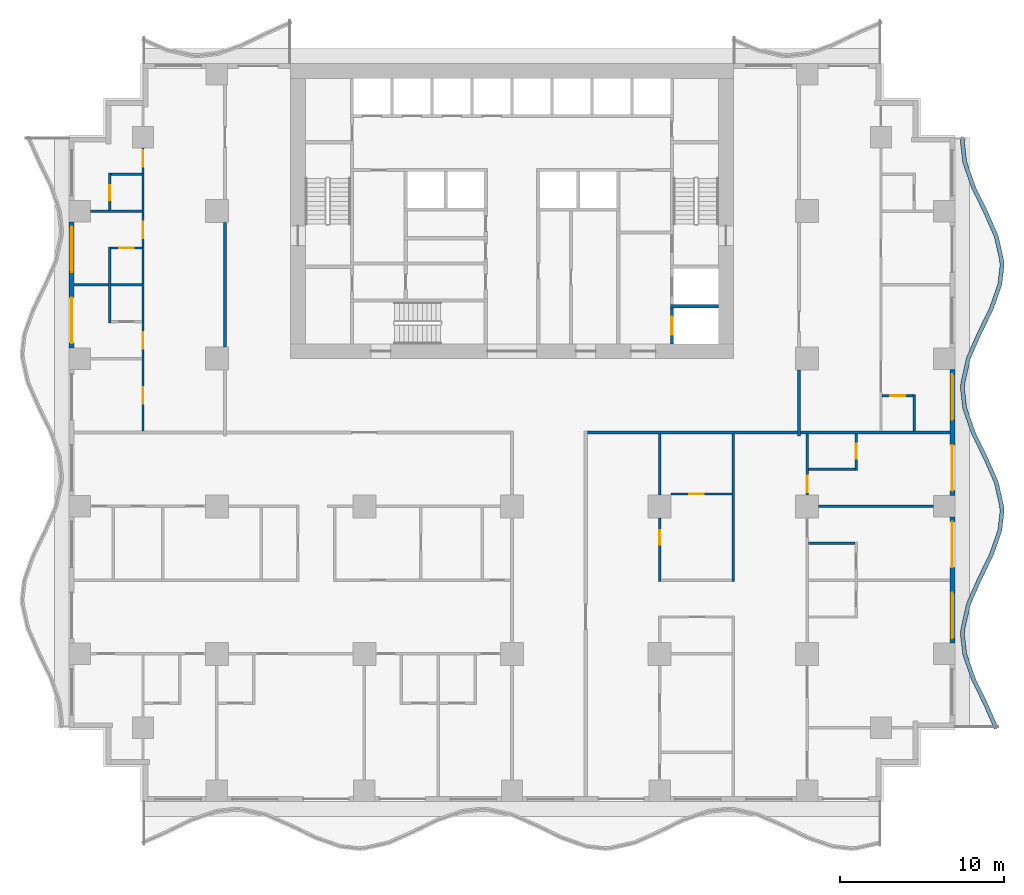
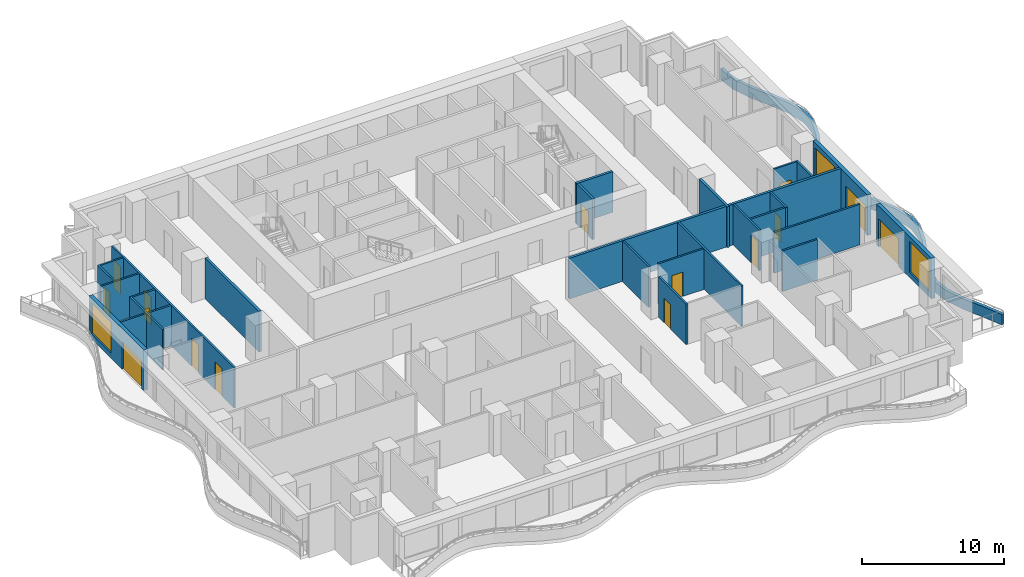
# One storey, part 4 of 14: 29 walls, 15 doors, 3 windows, 18 openings.
"""IFC4 building model written with IfcOpenShell, lengths in metres."""

from ifc_helpers import new_model, si_unit, direction, frame, frame_2d, origin, place, context, subcontext, project, spatial, polyline, rectangle, outline, extrude, material, layer, layer_set, type_object, element, fill, save


model = new_model("IFC4")

# Units and contexts
model_context = context("Model", 3, precision=1e-05, world=origin(), true_north=direction((0.0, 1.0)))
body_context = subcontext(model_context, "Body", "Model", "MODEL_VIEW")
ifc_project = project(units=[si_unit("LENGTHUNIT", "METRE"), si_unit("AREAUNIT", "SQUARE_METRE"), si_unit("VOLUMEUNIT", "CUBIC_METRE"), si_unit("PLANEANGLEUNIT", "RADIAN"), si_unit("MASSUNIT", "GRAM", prefix="KILO")], contexts=[model_context])

# Site, building, storey
site_placement = place(None, origin())
site = spatial("IfcSite", under=ifc_project, at=site_placement, CompositionType="ELEMENT")
building_placement = place(site_placement, origin())
building = spatial("IfcBuilding", under=site, at=building_placement, Name="Orbiselva Terraces", CompositionType="ELEMENT")
storey_placement = place(building_placement, frame((0.0, 0.0, 88.4)))
storey = spatial("IfcBuildingStorey", under=building, at=storey_placement, Name="L22", CompositionType="ELEMENT", Elevation=88.4)

# Wall, opening, door
ifc_material_1 = material(Name="Concrete C60/75", Category="concrete")
ifc_layer_1 = layer(ifc_material_1, 0.2)
ifc_layer_set_1 = layer_set([ifc_layer_1], Name="Concrete C60/75")
wall_type_1 = type_object("IfcWallType", Name="CORE-WALL-SHEAR-200", PredefinedType="SHEAR", material=ifc_layer_set_1)
wall_1_placement = place(storey_placement, frame((9.75, 5.4, 0.0), z_axis=(0.0, 0.0, 1.0), x_axis=(0.0, 1.0, 0.0)))
wall_1 = element("IfcWall", 1, at=wall_1_placement, inside=storey, type_object=wall_type_1, Name="L22 core wall 42", PredefinedType="SHEAR", context=body_context, shape_type="SweptSolid", body=[
    extrude(rectangle(XDim=2.2, YDim=0.2, at=frame_2d((1.1, 0.0))), origin(), (0.0, 0.0, 1.0), 3.5),
])
opening_1_placement = place(wall_1_placement, frame((0.55, 0.0, 0.0)))
opening_1 = element("IfcOpeningElement", 2, at=opening_1_placement, cuts=wall_1, Name="Opening LD-FF1", PredefinedType="OPENING", context=body_context, shape_type="SweptSolid", body=[
    extrude(rectangle(XDim=1.1, YDim=2.1, at=frame_2d((0.55, 1.05))), frame((0.0, 0.11, 0.0), z_axis=(0.0, -1.0, 0.0), x_axis=(1.0, 0.0, 0.0)), (0.0, 0.0, 1.0), 0.22),
])
ifc_material_2 = material(Name="Stainless steel landing door", Category="steel")
door_type_1 = type_object("IfcDoorType", Name="LANDING DOOR 1100", OperationType="SLIDING_TO_LEFT", PredefinedType="DOOR", material=ifc_material_2)
door_1_placement = place(opening_1_placement, origin())
door_1 = element("IfcDoor", 3, at=door_1_placement, inside=storey, type_object=door_type_1, Name="L22 landing door FF1", OperationType="SLIDING_TO_RIGHT", OverallHeight=2.1, OverallWidth=1.1, PredefinedType="DOOR", context=body_context, shape_type="SweptSolid", body=[
    extrude(rectangle(XDim=1.1, YDim=2.1, at=frame_2d((0.55, 1.05))), frame((0.0, 0.025, 0.0), z_axis=(0.0, -1.0, 0.0), x_axis=(1.0, 0.0, 0.0)), (0.0, 0.0, 1.0), 0.05),
])
fill(opening_1, door_1)

# Walls
wall_2_placement = place(storey_placement, frame((9.65, 7.7, 0.0), z_axis=(0.0, 0.0, 1.0), x_axis=(1.0, 0.0, 0.0)))
element("IfcWall", 4, at=wall_2_placement, inside=storey, type_object=wall_type_1, Name="L22 core wall 43", PredefinedType="SHEAR", context=body_context, shape_type="SweptSolid", body=[
    extrude(rectangle(XDim=2.95, YDim=0.2, at=frame_2d((1.475, 0.0))), origin(), (0.0, 0.0, 1.0), 3.5),
])
ifc_material_3 = material(Name="Concrete C40/50", Category="concrete")
ifc_layer_2 = layer(ifc_material_3, 0.25)
ifc_layer_set_2 = layer_set([ifc_layer_2], Name="Concrete C40/50")
wall_type_2 = type_object("IfcWallType", Name="ENV-PLANTER-250x900", PredefinedType="USERDEFINED", material=ifc_layer_set_2)
wall_3_placement = place(storey_placement, origin())
element("IfcWall", 5, at=wall_3_placement, inside=storey, type_object=wall_type_2, Name="Balcony planter L22 E", ObjectType="PLANTER", PredefinedType="USERDEFINED", context=body_context, shape_type="SweptSolid", body=[
    extrude(outline(polyline([(29.648528, -18.0), (28.987721, -16.5), (28.255211, -15.0), (27.730792, -13.5), (27.6, -12.375), (27.614774, -12.0), (27.951472, -10.5), (28.612279, -9.0), (29.344789, -7.5), (29.869208, -6.0), (30.0, -4.875), (29.985226, -4.5), (29.648528, -3.0), (28.987721, -1.5), (28.255211, 0.0), (27.730792, 1.5), (27.6, 2.625), (27.614774, 3.0), (27.951472, 4.5), (28.612279, 6.0), (29.344789, 7.5), (29.869208, 9.0), (30.0, 10.125), (29.985226, 10.5), (29.648528, 12.0), (28.987721, 13.5), (28.255211, 15.0), (27.730792, 16.5), (27.6, 17.625), (27.614774, 18.0), (27.364968, 18.009842), (27.349429, 17.615428), (27.485662, 16.443629), (28.024089, 14.90356), (28.760919, 13.394714), (29.40993, 11.921492), (29.736315, 10.467435), (29.749429, 10.134572), (29.624078, 9.056371), (29.113667, 7.59644), (28.385477, 6.105286), (27.712874, 4.578508), (27.365863, 3.032565), (27.349429, 2.615428), (27.485662, 1.443629), (28.024089, -0.09644), (28.760919, -1.605286), (29.40993, -3.078508), (29.736315, -4.532565), (29.749429, -4.865428), (29.624078, -5.943629), (29.113667, -7.40356), (28.385477, -8.894714), (27.712874, -10.421492), (27.365863, -11.967435), (27.349429, -12.384572), (27.485662, -13.556371), (28.024089, -15.09644), (28.760919, -16.605286), (29.419745, -18.100788), (29.648528, -18.0)])), origin(), (0.0, 0.0, 1.0), 0.9),
])

# Wall, openings, door, window
ifc_material_4 = material(Name="Terracotta cladding on masonry backing", Category="masonry")
ifc_layer_3 = layer(ifc_material_4, 0.3)
ifc_layer_set_3 = layer_set([ifc_layer_3], Name="Terracotta cladding on masonry backing")
wall_type_3 = type_object("IfcWallType", Name="ENV-WALL-TERRACOTTA-300", PredefinedType="SOLIDWALL", material=ifc_layer_set_3)
wall_4_placement = place(storey_placement, frame((26.85, -5.15, 0.0), z_axis=(0.0, 0.0, 1.0), x_axis=(0.0, -1.0, 0.0)))
wall_4 = element("IfcWall", 6, at=wall_4_placement, inside=storey, type_object=wall_type_3, Name="Facade wall L22 E", PredefinedType="SOLIDWALL", context=body_context, shape_type="SweptSolid", body=[
    extrude(rectangle(XDim=7.7, YDim=0.3, at=frame_2d((3.85, 0.0))), origin(), (0.0, 0.0, 1.0), 3.5),
])
opening_2_placement = place(wall_4_placement, frame((4.625, 0.0, 0.45)))
opening_2 = element("IfcOpeningElement", 7, at=opening_2_placement, cuts=wall_4, Name="Opening WN6", PredefinedType="OPENING", context=body_context, shape_type="SweptSolid", body=[
    extrude(rectangle(XDim=2.775, YDim=2.65, at=frame_2d((1.3875, 1.325))), frame((0.0, 0.16, 0.0), z_axis=(0.0, -1.0, 0.0), x_axis=(1.0, 0.0, 0.0)), (0.0, 0.0, 1.0), 0.32),
])
opening_3_placement = place(wall_4_placement, frame((0.3, 0.0, 0.0)))
opening_3 = element("IfcOpeningElement", 8, at=opening_3_placement, cuts=wall_4, Name="Opening Z2-B-E17", PredefinedType="OPENING", context=body_context, shape_type="SweptSolid", body=[
    extrude(rectangle(XDim=2.775, YDim=2.4, at=frame_2d((1.3875, 1.2))), frame((0.0, 0.16, 0.0), z_axis=(0.0, -1.0, 0.0), x_axis=(1.0, 0.0, 0.0)), (0.0, 0.0, 1.0), 0.32),
])
ifc_material_5 = material(Name="Clear low-e glazing in aluminium frame", Category="aluminium")
door_type_2 = type_object("IfcDoorType", Name="BALCONY DOOR 2775 X 2400", OperationType="DOUBLE_DOOR_SLIDING", PredefinedType="DOOR", material=ifc_material_5)
door_2_placement = place(opening_3_placement, origin())
door_2 = element("IfcDoor", 9, at=door_2_placement, inside=storey, type_object=door_type_2, Name="Z2-B-E17", OperationType="SINGLE_SWING_LEFT", OverallHeight=2.4, OverallWidth=2.775, PredefinedType="DOOR", context=body_context, shape_type="SweptSolid", body=[
    extrude(rectangle(XDim=2.775, YDim=2.4, at=frame_2d((1.3875, 1.2))), frame((0.0, 0.025, 0.0), z_axis=(0.0, -1.0, 0.0), x_axis=(1.0, 0.0, 0.0)), (0.0, 0.0, 1.0), 0.05),
])
fill(opening_3, door_2)
window_type = type_object("IfcWindowType", Name="WINDOW 2775 X 2650 S450", PartitioningType="TRIPLE_PANEL_VERTICAL", PredefinedType="WINDOW", material=ifc_material_5)
window_1_placement = place(opening_2_placement, origin())
window_1 = element("IfcWindow", 10, at=window_1_placement, inside=storey, type_object=window_type, Name="Window L22 E", OverallHeight=2.65, OverallWidth=2.775, PartitioningType="SINGLE_PANEL", PredefinedType="WINDOW", context=body_context, shape_type="SweptSolid", body=[
    extrude(rectangle(XDim=2.775, YDim=2.65, at=frame_2d((1.3875, 1.325))), frame((0.0, 0.03, 0.0), z_axis=(0.0, -1.0, 0.0), x_axis=(1.0, 0.0, 0.0)), (0.0, 0.0, 1.0), 0.06),
])
fill(opening_2, window_1)

wall_5_placement = place(storey_placement, frame((26.85, 3.85, 0.0), z_axis=(0.0, 0.0, 1.0), x_axis=(0.0, -1.0, 0.0)))
wall_5 = element("IfcWall", 11, at=wall_5_placement, inside=storey, type_object=wall_type_3, Name="Facade wall L22 E", PredefinedType="SOLIDWALL", context=body_context, shape_type="SweptSolid", body=[
    extrude(rectangle(XDim=7.7, YDim=0.3, at=frame_2d((3.85, 0.0))), origin(), (0.0, 0.0, 1.0), 3.5),
])
opening_4_placement = place(wall_5_placement, frame((4.625, 0.0, 0.0)))
opening_4 = element("IfcOpeningElement", 12, at=opening_4_placement, cuts=wall_5, Name="Opening Z2-B-E06", PredefinedType="OPENING", context=body_context, shape_type="SweptSolid", body=[
    extrude(rectangle(XDim=2.775, YDim=2.4, at=frame_2d((1.3875, 1.2))), frame((0.0, 0.16, 0.0), z_axis=(0.0, -1.0, 0.0), x_axis=(1.0, 0.0, 0.0)), (0.0, 0.0, 1.0), 0.32),
])
opening_5_placement = place(wall_5_placement, frame((0.3, 0.0, 0.45)))
opening_5 = element("IfcOpeningElement", 13, at=opening_5_placement, cuts=wall_5, Name="Opening WN6", PredefinedType="OPENING", context=body_context, shape_type="SweptSolid", body=[
    extrude(rectangle(XDim=2.775, YDim=2.65, at=frame_2d((1.3875, 1.325))), frame((0.0, 0.16, 0.0), z_axis=(0.0, -1.0, 0.0), x_axis=(1.0, 0.0, 0.0)), (0.0, 0.0, 1.0), 0.32),
])
door_3_placement = place(opening_4_placement, origin())
door_3 = element("IfcDoor", 14, at=door_3_placement, inside=storey, type_object=door_type_2, Name="Z2-B-E06", OperationType="SINGLE_SWING_LEFT", OverallHeight=2.4, OverallWidth=2.775, PredefinedType="DOOR", context=body_context, shape_type="SweptSolid", body=[
    extrude(rectangle(XDim=2.775, YDim=2.4, at=frame_2d((1.3875, 1.2))), frame((0.0, 0.025, 0.0), z_axis=(0.0, -1.0, 0.0), x_axis=(1.0, 0.0, 0.0)), (0.0, 0.0, 1.0), 0.05),
])
fill(opening_4, door_3)
window_2_placement = place(opening_5_placement, origin())
window_2 = element("IfcWindow", 15, at=window_2_placement, inside=storey, type_object=window_type, Name="Window L22 E", OverallHeight=2.65, OverallWidth=2.775, PartitioningType="SINGLE_PANEL", PredefinedType="WINDOW", context=body_context, shape_type="SweptSolid", body=[
    extrude(rectangle(XDim=2.775, YDim=2.65, at=frame_2d((1.3875, 1.325))), frame((0.0, 0.03, 0.0), z_axis=(0.0, -1.0, 0.0), x_axis=(1.0, 0.0, 0.0)), (0.0, 0.0, 1.0), 0.06),
])
fill(opening_5, window_2)

wall_6_placement = place(storey_placement, frame((-26.85, 5.15, 0.0), z_axis=(0.0, 0.0, 1.0), x_axis=(0.0, 1.0, 0.0)))
wall_6 = element("IfcWall", 16, at=wall_6_placement, inside=storey, type_object=wall_type_3, Name="Facade wall L22 W", PredefinedType="SOLIDWALL", context=body_context, shape_type="SweptSolid", body=[
    extrude(rectangle(XDim=7.7, YDim=0.3, at=frame_2d((3.85, 0.0))), origin(), (0.0, 0.0, 1.0), 3.5),
])
opening_6_placement = place(wall_6_placement, frame((4.625, 0.0, 0.45)))
opening_6 = element("IfcOpeningElement", 17, at=opening_6_placement, cuts=wall_6, Name="Opening WN6", PredefinedType="OPENING", context=body_context, shape_type="SweptSolid", body=[
    extrude(rectangle(XDim=2.775, YDim=2.65, at=frame_2d((1.3875, 1.325))), frame((0.0, 0.16, 0.0), z_axis=(0.0, -1.0, 0.0), x_axis=(1.0, 0.0, 0.0)), (0.0, 0.0, 1.0), 0.32),
])
opening_7_placement = place(wall_6_placement, frame((0.3, 0.0, 0.0)))
opening_7 = element("IfcOpeningElement", 18, at=opening_7_placement, cuts=wall_6, Name="Opening Z2-B-E20", PredefinedType="OPENING", context=body_context, shape_type="SweptSolid", body=[
    extrude(rectangle(XDim=2.775, YDim=2.4, at=frame_2d((1.3875, 1.2))), frame((0.0, 0.16, 0.0), z_axis=(0.0, -1.0, 0.0), x_axis=(1.0, 0.0, 0.0)), (0.0, 0.0, 1.0), 0.32),
])
door_4_placement = place(opening_7_placement, origin())
door_4 = element("IfcDoor", 19, at=door_4_placement, inside=storey, type_object=door_type_2, Name="Z2-B-E20", OperationType="SINGLE_SWING_LEFT", OverallHeight=2.4, OverallWidth=2.775, PredefinedType="DOOR", context=body_context, shape_type="SweptSolid", body=[
    extrude(rectangle(XDim=2.775, YDim=2.4, at=frame_2d((1.3875, 1.2))), frame((0.0, 0.025, 0.0), z_axis=(0.0, -1.0, 0.0), x_axis=(1.0, 0.0, 0.0)), (0.0, 0.0, 1.0), 0.05),
])
fill(opening_7, door_4)
window_3_placement = place(opening_6_placement, origin())
window_3 = element("IfcWindow", 20, at=window_3_placement, inside=storey, type_object=window_type, Name="Window L22 W", OverallHeight=2.65, OverallWidth=2.775, PartitioningType="SINGLE_PANEL", PredefinedType="WINDOW", context=body_context, shape_type="SweptSolid", body=[
    extrude(rectangle(XDim=2.775, YDim=2.65, at=frame_2d((1.3875, 1.325))), frame((0.0, 0.03, 0.0), z_axis=(0.0, -1.0, 0.0), x_axis=(1.0, 0.0, 0.0)), (0.0, 0.0, 1.0), 0.06),
])
fill(opening_6, window_3)

# Walls
ifc_material_6 = material(Name="Plasterboard on steel stud partition", Category="steel")
ifc_layer_4 = layer(ifc_material_6, 0.2)
ifc_layer_set_4 = layer_set([ifc_layer_4], Name="Plasterboard on steel stud partition")
wall_type_4 = type_object("IfcWallType", Name="UNIT-ENTRANCE-WALL-200", PredefinedType="PARTITIONING", material=ifc_layer_set_4)
wall_7_placement = place(storey_placement, frame((4.6, 0.0, 0.0), z_axis=(0.0, 0.0, 1.0), x_axis=(1.0, 0.0, 0.0)))
element("IfcWall", 21, at=wall_7_placement, inside=storey, type_object=wall_type_4, Name="PARTITION L22-028", PredefinedType="PARTITIONING", context=body_context, shape_type="SweptSolid", body=[
    extrude(rectangle(XDim=12.8, YDim=0.2, at=frame_2d((6.4, 0.0))), origin(), (0.0, 0.0, 1.0), 3.5),
])
wall_8_placement = place(storey_placement, frame((-17.5, 5.2, 0.0), z_axis=(0.0, 0.0, 1.0), x_axis=(0.0, 1.0, 0.0)))
element("IfcWall", 22, at=wall_8_placement, inside=storey, type_object=wall_type_4, Name="PARTITION L22-053", PredefinedType="PARTITIONING", context=body_context, shape_type="SweptSolid", body=[
    extrude(rectangle(XDim=7.6, YDim=0.2, at=frame_2d((3.8, 0.0))), origin(), (0.0, 0.0, 1.0), 3.5),
])
wall_9_placement = place(storey_placement, frame((17.5, -0.2, 0.0), z_axis=(0.0, 0.0, 1.0), x_axis=(0.0, 1.0, 0.0)))
element("IfcWall", 23, at=wall_9_placement, inside=storey, type_object=wall_type_4, Name="PARTITION L22-075", PredefinedType="PARTITIONING", context=body_context, shape_type="SweptSolid", body=[
    extrude(rectangle(XDim=4.0, YDim=0.2, at=frame_2d((2.0, 0.0))), origin(), (0.0, 0.0, 1.0), 3.5),
])
ifc_layer_5 = layer(ifc_material_6, 0.15)
ifc_layer_set_5 = layer_set([ifc_layer_5], Name="Plasterboard on steel stud partition")
wall_type_5 = type_object("IfcWallType", Name="UNIT-PARTITION-150", PredefinedType="PARTITIONING", material=ifc_layer_set_5)
wall_10_placement = place(storey_placement, frame((18.075, -6.75, 0.0), z_axis=(0.0, 0.0, 1.0), x_axis=(1.0, 0.0, 0.0)))
element("IfcWall", 24, at=wall_10_placement, inside=storey, type_object=wall_type_5, Name="PARTITION L22-019", PredefinedType="PARTITIONING", context=body_context, shape_type="SweptSolid", body=[
    extrude(rectangle(XDim=2.85, YDim=0.15, at=frame_2d((1.425, 0.0))), origin(), (0.0, 0.0, 1.0), 3.5),
])
wall_11_placement = place(storey_placement, frame((18.7, -4.5, 0.0), z_axis=(0.0, 0.0, 1.0), x_axis=(1.0, 0.0, 0.0)))
element("IfcWall", 25, at=wall_11_placement, inside=storey, type_object=wall_type_5, Name="PARTITION L22-024", PredefinedType="PARTITIONING", context=body_context, shape_type="SweptSolid", body=[
    extrude(rectangle(XDim=7.0, YDim=0.15, at=frame_2d((3.5, 0.0))), origin(), (0.0, 0.0, 1.0), 3.5),
])

# Wall, opening, door
wall_12_placement = place(storey_placement, frame((9.7, -3.75, 0.0), z_axis=(0.0, 0.0, 1.0), x_axis=(1.0, 0.0, 0.0)))
wall_12 = element("IfcWall", 26, at=wall_12_placement, inside=storey, type_object=wall_type_5, Name="PARTITION L22-025", PredefinedType="PARTITIONING", context=body_context, shape_type="SweptSolid", body=[
    extrude(rectangle(XDim=3.725, YDim=0.15, at=frame_2d((1.8625, 0.0))), origin(), (0.0, 0.0, 1.0), 3.5),
])
opening_8_placement = place(wall_12_placement, frame((1.1, 0.0, 0.0)))
opening_8 = element("IfcOpeningElement", 27, at=opening_8_placement, cuts=wall_12, Name="Opening Z2-B-37", PredefinedType="OPENING", context=body_context, shape_type="SweptSolid", body=[
    extrude(rectangle(XDim=0.9, YDim=2.1, at=frame_2d((0.45, 1.05))), frame((0.0, 0.085, 0.0), z_axis=(0.0, -1.0, 0.0), x_axis=(1.0, 0.0, 0.0)), (0.0, 0.0, 1.0), 0.17),
])
ifc_material_7 = material(Name="Painted timber door leaf", Category="wood")
door_type_3 = type_object("IfcDoorType", Name="BATH DOOR 900", OperationType="NOTDEFINED", PredefinedType="DOOR", material=ifc_material_7)
door_5_placement = place(opening_8_placement, origin())
door_5 = element("IfcDoor", 28, at=door_5_placement, inside=storey, type_object=door_type_3, Name="Z2-B-37", OperationType="SINGLE_SWING_LEFT", OverallHeight=2.1, OverallWidth=0.9, PredefinedType="DOOR", context=body_context, shape_type="SweptSolid", body=[
    extrude(rectangle(XDim=0.9, YDim=2.1, at=frame_2d((0.45, 1.05))), frame((0.0, 0.025, 0.0), z_axis=(0.0, -1.0, 0.0), x_axis=(1.0, 0.0, 0.0)), (0.0, 0.0, 1.0), 0.05),
])
fill(opening_8, door_5)

# Wall
wall_13_placement = place(storey_placement, frame((18.075, -2.25, 0.0), z_axis=(0.0, 0.0, 1.0), x_axis=(1.0, 0.0, 0.0)))
element("IfcWall", 29, at=wall_13_placement, inside=storey, type_object=wall_type_5, Name="PARTITION L22-026", PredefinedType="PARTITIONING", context=body_context, shape_type="SweptSolid", body=[
    extrude(rectangle(XDim=2.85, YDim=0.15, at=frame_2d((1.425, 0.0))), origin(), (0.0, 0.0, 1.0), 3.5),
])

# Wall, opening, door
wall_14_placement = place(storey_placement, frame((24.45, 2.25, 0.0), z_axis=(0.0, 0.0, 1.0), x_axis=(-1.0, 0.0, 0.0)))
wall_14 = element("IfcWall", 30, at=wall_14_placement, inside=storey, type_object=wall_type_5, Name="PARTITION L22-031", PredefinedType="PARTITIONING", context=body_context, shape_type="SweptSolid", body=[
    extrude(rectangle(XDim=1.875, YDim=0.15, at=frame_2d((0.9375, 0.0))), origin(), (0.0, 0.0, 1.0), 3.5),
])
opening_9_placement = place(wall_14_placement, frame((0.475, 0.0, 0.0)))
opening_9 = element("IfcOpeningElement", 31, at=opening_9_placement, cuts=wall_14, Name="Opening Z2-B-11", PredefinedType="OPENING", context=body_context, shape_type="SweptSolid", body=[
    extrude(rectangle(XDim=0.9, YDim=2.1, at=frame_2d((0.45, 1.05))), frame((0.0, 0.085, 0.0), z_axis=(0.0, -1.0, 0.0), x_axis=(1.0, 0.0, 0.0)), (0.0, 0.0, 1.0), 0.17),
])
door_6_placement = place(opening_9_placement, origin())
door_6 = element("IfcDoor", 32, at=door_6_placement, inside=storey, type_object=door_type_3, Name="Z2-B-11", OperationType="SINGLE_SWING_LEFT", OverallHeight=2.1, OverallWidth=0.9, PredefinedType="DOOR", context=body_context, shape_type="SweptSolid", body=[
    extrude(rectangle(XDim=0.9, YDim=2.1, at=frame_2d((0.45, 1.05))), frame((0.0, 0.025, 0.0), z_axis=(0.0, -1.0, 0.0), x_axis=(1.0, 0.0, 0.0)), (0.0, 0.0, 1.0), 0.05),
])
fill(opening_9, door_6)

# Walls
wall_15_placement = place(storey_placement, frame((-26.7, 9.0, 0.0), z_axis=(0.0, 0.0, 1.0), x_axis=(1.0, 0.0, 0.0)))
element("IfcWall", 33, at=wall_15_placement, inside=storey, type_object=wall_type_5, Name="PARTITION L22-034", PredefinedType="PARTITIONING", context=body_context, shape_type="SweptSolid", body=[
    extrude(rectangle(XDim=2.1, YDim=0.15, at=frame_2d((1.05, 0.0))), origin(), (0.0, 0.0, 1.0), 3.5),
])
wall_16_placement = place(storey_placement, frame((-24.45, 9.0, 0.0), z_axis=(0.0, 0.0, 1.0), x_axis=(1.0, 0.0, 0.0)))
element("IfcWall", 34, at=wall_16_placement, inside=storey, type_object=wall_type_5, Name="PARTITION L22-035", PredefinedType="PARTITIONING", context=body_context, shape_type="SweptSolid", body=[
    extrude(rectangle(XDim=1.875, YDim=0.15, at=frame_2d((0.9375, 0.0))), origin(), (0.0, 0.0, 1.0), 3.5),
])

# Wall, opening, door
wall_17_placement = place(storey_placement, frame((-22.575, 11.25, 0.0), z_axis=(0.0, 0.0, 1.0), x_axis=(-1.0, 0.0, 0.0)))
wall_17 = element("IfcWall", 35, at=wall_17_placement, inside=storey, type_object=wall_type_5, Name="PARTITION L22-037", PredefinedType="PARTITIONING", context=body_context, shape_type="SweptSolid", body=[
    extrude(rectangle(XDim=1.875, YDim=0.15, at=frame_2d((0.9375, 0.0))), origin(), (0.0, 0.0, 1.0), 3.5),
])
opening_10_placement = place(wall_17_placement, frame((0.475, 0.0, 0.0)))
opening_10 = element("IfcOpeningElement", 36, at=opening_10_placement, cuts=wall_17, Name="Opening Z2-B-06", PredefinedType="OPENING", context=body_context, shape_type="SweptSolid", body=[
    extrude(rectangle(XDim=0.9, YDim=2.1, at=frame_2d((0.45, 1.05))), frame((0.0, 0.085, 0.0), z_axis=(0.0, -1.0, 0.0), x_axis=(1.0, 0.0, 0.0)), (0.0, 0.0, 1.0), 0.17),
])
door_7_placement = place(opening_10_placement, origin())
door_7 = element("IfcDoor", 37, at=door_7_placement, inside=storey, type_object=door_type_3, Name="Z2-B-06", OperationType="SINGLE_SWING_LEFT", OverallHeight=2.1, OverallWidth=0.9, PredefinedType="DOOR", context=body_context, shape_type="SweptSolid", body=[
    extrude(rectangle(XDim=0.9, YDim=2.1, at=frame_2d((0.45, 1.05))), frame((0.0, 0.025, 0.0), z_axis=(0.0, -1.0, 0.0), x_axis=(1.0, 0.0, 0.0)), (0.0, 0.0, 1.0), 0.05),
])
fill(opening_10, door_7)

# Walls
wall_18_placement = place(storey_placement, frame((-25.7, 13.5, 0.0), z_axis=(0.0, 0.0, 1.0), x_axis=(1.0, 0.0, 0.0)))
element("IfcWall", 38, at=wall_18_placement, inside=storey, type_object=wall_type_5, Name="PARTITION L22-038", PredefinedType="PARTITIONING", context=body_context, shape_type="SweptSolid", body=[
    extrude(rectangle(XDim=3.125, YDim=0.15, at=frame_2d((1.5625, 0.0))), origin(), (0.0, 0.0, 1.0), 3.5),
])
wall_19_placement = place(storey_placement, frame((-24.45, 15.75, 0.0), z_axis=(0.0, 0.0, 1.0), x_axis=(1.0, 0.0, 0.0)))
element("IfcWall", 39, at=wall_19_placement, inside=storey, type_object=wall_type_5, Name="PARTITION L22-040", PredefinedType="PARTITIONING", context=body_context, shape_type="SweptSolid", body=[
    extrude(rectangle(XDim=1.875, YDim=0.15, at=frame_2d((0.9375, 0.0))), origin(), (0.0, 0.0, 1.0), 3.5),
])
wall_20_placement = place(storey_placement, frame((-24.525, 6.675, 0.0), z_axis=(0.0, 0.0, 1.0), x_axis=(0.0, 1.0, 0.0)))
element("IfcWall", 40, at=wall_20_placement, inside=storey, type_object=wall_type_5, Name="PARTITION L22-042", PredefinedType="PARTITIONING", context=body_context, shape_type="SweptSolid", body=[
    extrude(rectangle(XDim=4.65, YDim=0.15, at=frame_2d((2.325, 0.0))), origin(), (0.0, 0.0, 1.0), 3.5),
])

# Wall, opening, door
wall_21_placement = place(storey_placement, frame((-24.525, 15.825, 0.0), z_axis=(0.0, 0.0, 1.0), x_axis=(0.0, -1.0, 0.0)))
wall_21 = element("IfcWall", 41, at=wall_21_placement, inside=storey, type_object=wall_type_5, Name="PARTITION L22-043", PredefinedType="PARTITIONING", context=body_context, shape_type="SweptSolid", body=[
    extrude(rectangle(XDim=2.25, YDim=0.15, at=frame_2d((1.125, 0.0))), origin(), (0.0, 0.0, 1.0), 3.5),
])
opening_11_placement = place(wall_21_placement, frame((0.75, 0.0, 0.0)))
opening_11 = element("IfcOpeningElement", 42, at=opening_11_placement, cuts=wall_21, Name="Opening Z2-B-08", PredefinedType="OPENING", context=body_context, shape_type="SweptSolid", body=[
    extrude(rectangle(XDim=0.9, YDim=2.1, at=frame_2d((0.45, 1.05))), frame((0.0, 0.085, 0.0), z_axis=(0.0, -1.0, 0.0), x_axis=(1.0, 0.0, 0.0)), (0.0, 0.0, 1.0), 0.17),
])
door_8_placement = place(opening_11_placement, origin())
door_8 = element("IfcDoor", 43, at=door_8_placement, inside=storey, type_object=door_type_3, Name="Z2-B-08", OperationType="SINGLE_SWING_RIGHT", OverallHeight=2.1, OverallWidth=0.9, PredefinedType="DOOR", context=body_context, shape_type="SweptSolid", body=[
    extrude(rectangle(XDim=0.9, YDim=2.1, at=frame_2d((0.45, 1.05))), frame((0.0, 0.025, 0.0), z_axis=(0.0, -1.0, 0.0), x_axis=(1.0, 0.0, 0.0)), (0.0, 0.0, 1.0), 0.05),
])
fill(opening_11, door_8)

# Wall, openings, doors
wall_22_placement = place(storey_placement, frame((-22.5, 0.1, 0.0), z_axis=(0.0, 0.0, 1.0), x_axis=(0.0, 1.0, 0.0)))
wall_22 = element("IfcWall", 44, at=wall_22_placement, inside=storey, type_object=wall_type_5, Name="PARTITION L22-047", PredefinedType="PARTITIONING", context=body_context, shape_type="SweptSolid", body=[
    extrude(rectangle(XDim=17.25, YDim=0.15, at=frame_2d((8.625, 0.0))), origin(), (0.0, 0.0, 1.0), 3.5),
])
opening_12_placement = place(wall_22_placement, frame((1.65, 0.0, 0.0)))
opening_12 = element("IfcOpeningElement", 45, at=opening_12_placement, cuts=wall_22, Name="Opening Z2-B-02", PredefinedType="OPENING", context=body_context, shape_type="SweptSolid", body=[
    extrude(rectangle(XDim=1.0, YDim=2.4, at=frame_2d((0.5, 1.2))), frame((0.0, 0.085, 0.0), z_axis=(0.0, -1.0, 0.0), x_axis=(1.0, 0.0, 0.0)), (0.0, 0.0, 1.0), 0.17),
])
opening_13_placement = place(wall_22_placement, frame((5.0, 0.0, 0.0)))
opening_13 = element("IfcOpeningElement", 46, at=opening_13_placement, cuts=wall_22, Name="Opening Z2-B-03", PredefinedType="OPENING", context=body_context, shape_type="SweptSolid", body=[
    extrude(rectangle(XDim=1.0, YDim=2.4, at=frame_2d((0.5, 1.2))), frame((0.0, 0.085, 0.0), z_axis=(0.0, -1.0, 0.0), x_axis=(1.0, 0.0, 0.0)), (0.0, 0.0, 1.0), 0.17),
])
opening_14_placement = place(wall_22_placement, frame((11.75, 0.0, 0.0)))
opening_14 = element("IfcOpeningElement", 47, at=opening_14_placement, cuts=wall_22, Name="Opening Z2-B-05", PredefinedType="OPENING", context=body_context, shape_type="SweptSolid", body=[
    extrude(rectangle(XDim=1.0, YDim=2.4, at=frame_2d((0.5, 1.2))), frame((0.0, 0.085, 0.0), z_axis=(0.0, -1.0, 0.0), x_axis=(1.0, 0.0, 0.0)), (0.0, 0.0, 1.0), 0.17),
])
opening_15_placement = place(wall_22_placement, frame((16.1, 0.0, 0.0)))
opening_15 = element("IfcOpeningElement", 48, at=opening_15_placement, cuts=wall_22, Name="Opening Z2-B-07", PredefinedType="OPENING", context=body_context, shape_type="SweptSolid", body=[
    extrude(rectangle(XDim=1.0, YDim=2.4, at=frame_2d((0.5, 1.2))), frame((0.0, 0.085, 0.0), z_axis=(0.0, -1.0, 0.0), x_axis=(1.0, 0.0, 0.0)), (0.0, 0.0, 1.0), 0.17),
])
door_type_4 = type_object("IfcDoorType", Name="ROOM DOOR 1000", OperationType="NOTDEFINED", PredefinedType="DOOR", material=ifc_material_7)
door_9_placement = place(opening_12_placement, origin())
door_9 = element("IfcDoor", 49, at=door_9_placement, inside=storey, type_object=door_type_4, Name="Z2-B-02", OperationType="SINGLE_SWING_LEFT", OverallHeight=2.4, OverallWidth=1.0, PredefinedType="DOOR", context=body_context, shape_type="SweptSolid", body=[
    extrude(rectangle(XDim=1.0, YDim=2.4, at=frame_2d((0.5, 1.2))), frame((0.0, 0.025, 0.0), z_axis=(0.0, -1.0, 0.0), x_axis=(1.0, 0.0, 0.0)), (0.0, 0.0, 1.0), 0.05),
])
fill(opening_12, door_9)
door_10_placement = place(opening_13_placement, origin())
door_10 = element("IfcDoor", 50, at=door_10_placement, inside=storey, type_object=door_type_4, Name="Z2-B-03", OperationType="SINGLE_SWING_LEFT", OverallHeight=2.4, OverallWidth=1.0, PredefinedType="DOOR", context=body_context, shape_type="SweptSolid", body=[
    extrude(rectangle(XDim=1.0, YDim=2.4, at=frame_2d((0.5, 1.2))), frame((0.0, 0.025, 0.0), z_axis=(0.0, -1.0, 0.0), x_axis=(1.0, 0.0, 0.0)), (0.0, 0.0, 1.0), 0.05),
])
fill(opening_13, door_10)
door_11_placement = place(opening_14_placement, origin())
door_11 = element("IfcDoor", 51, at=door_11_placement, inside=storey, type_object=door_type_4, Name="Z2-B-05", OperationType="SINGLE_SWING_RIGHT", OverallHeight=2.4, OverallWidth=1.0, PredefinedType="DOOR", context=body_context, shape_type="SweptSolid", body=[
    extrude(rectangle(XDim=1.0, YDim=2.4, at=frame_2d((0.5, 1.2))), frame((0.0, 0.025, 0.0), z_axis=(0.0, -1.0, 0.0), x_axis=(1.0, 0.0, 0.0)), (0.0, 0.0, 1.0), 0.05),
])
fill(opening_14, door_11)
door_12_placement = place(opening_15_placement, origin())
door_12 = element("IfcDoor", 52, at=door_12_placement, inside=storey, type_object=door_type_4, Name="Z2-B-07", OperationType="SINGLE_SWING_RIGHT", OverallHeight=2.4, OverallWidth=1.0, PredefinedType="DOOR", context=body_context, shape_type="SweptSolid", body=[
    extrude(rectangle(XDim=1.0, YDim=2.4, at=frame_2d((0.5, 1.2))), frame((0.0, 0.025, 0.0), z_axis=(0.0, -1.0, 0.0), x_axis=(1.0, 0.0, 0.0)), (0.0, 0.0, 1.0), 0.05),
])
fill(opening_15, door_12)

# Wall, opening, door
wall_23_placement = place(storey_placement, frame((9.0, -5.2, 0.0), z_axis=(0.0, 0.0, 1.0), x_axis=(0.0, -1.0, 0.0)))
wall_23 = element("IfcWall", 53, at=wall_23_placement, inside=storey, type_object=wall_type_5, Name="PARTITION L22-071", PredefinedType="PARTITIONING", context=body_context, shape_type="SweptSolid", body=[
    extrude(rectangle(XDim=3.875, YDim=0.15, at=frame_2d((1.9375, 0.0))), origin(), (0.0, 0.0, 1.0), 3.5),
])
opening_16_placement = place(wall_23_placement, frame((0.75, 0.0, 0.0)))
opening_16 = element("IfcOpeningElement", 54, at=opening_16_placement, cuts=wall_23, Name="Opening Z2-B-36", PredefinedType="OPENING", context=body_context, shape_type="SweptSolid", body=[
    extrude(rectangle(XDim=0.9, YDim=2.1, at=frame_2d((0.45, 1.05))), frame((0.0, 0.085, 0.0), z_axis=(0.0, -1.0, 0.0), x_axis=(1.0, 0.0, 0.0)), (0.0, 0.0, 1.0), 0.17),
])
door_type_5 = type_object("IfcDoorType", Name="SERVICE DOOR 900", OperationType="NOTDEFINED", PredefinedType="DOOR", material=ifc_material_7)
door_13_placement = place(opening_16_placement, origin())
door_13 = element("IfcDoor", 55, at=door_13_placement, inside=storey, type_object=door_type_5, Name="Z2-B-36", OperationType="SINGLE_SWING_LEFT", OverallHeight=2.1, OverallWidth=0.9, PredefinedType="DOOR", context=body_context, shape_type="SweptSolid", body=[
    extrude(rectangle(XDim=0.9, YDim=2.1, at=frame_2d((0.45, 1.05))), frame((0.0, 0.025, 0.0), z_axis=(0.0, -1.0, 0.0), x_axis=(1.0, 0.0, 0.0)), (0.0, 0.0, 1.0), 0.05),
])
fill(opening_16, door_13)

# Walls
wall_24_placement = place(storey_placement, frame((9.0, -3.8, 0.0), z_axis=(0.0, 0.0, 1.0), x_axis=(0.0, 1.0, 0.0)))
element("IfcWall", 56, at=wall_24_placement, inside=storey, type_object=wall_type_5, Name="PARTITION L22-072", PredefinedType="PARTITIONING", context=body_context, shape_type="SweptSolid", body=[
    extrude(rectangle(XDim=3.7, YDim=0.15, at=frame_2d((1.85, 0.0))), origin(), (0.0, 0.0, 1.0), 3.5),
])
wall_25_placement = place(storey_placement, frame((13.5, -9.075, 0.0), z_axis=(0.0, 0.0, 1.0), x_axis=(0.0, 1.0, 0.0)))
element("IfcWall", 57, at=wall_25_placement, inside=storey, type_object=wall_type_5, Name="PARTITION L22-074", PredefinedType="PARTITIONING", context=body_context, shape_type="SweptSolid", body=[
    extrude(rectangle(XDim=8.975, YDim=0.15, at=frame_2d((4.4875, 0.0))), origin(), (0.0, 0.0, 1.0), 3.5),
])

# Wall, opening, door
wall_26_placement = place(storey_placement, frame((18.0, -0.1, 0.0), z_axis=(0.0, 0.0, 1.0), x_axis=(0.0, -1.0, 0.0)))
wall_26 = element("IfcWall", 58, at=wall_26_placement, inside=storey, type_object=wall_type_5, Name="PARTITION L22-080", PredefinedType="PARTITIONING", context=body_context, shape_type="SweptSolid", body=[
    extrude(rectangle(XDim=3.7, YDim=0.15, at=frame_2d((1.85, 0.0))), origin(), (0.0, 0.0, 1.0), 3.5),
])
opening_17_placement = place(wall_26_placement, frame((2.55, 0.0, 0.0)))
opening_17 = element("IfcOpeningElement", 59, at=opening_17_placement, cuts=wall_26, Name="Opening Z2-B-43", PredefinedType="OPENING", context=body_context, shape_type="SweptSolid", body=[
    extrude(rectangle(XDim=1.0, YDim=2.4, at=frame_2d((0.5, 1.2))), frame((0.0, 0.085, 0.0), z_axis=(0.0, -1.0, 0.0), x_axis=(1.0, 0.0, 0.0)), (0.0, 0.0, 1.0), 0.17),
])
door_14_placement = place(opening_17_placement, origin())
door_14 = element("IfcDoor", 60, at=door_14_placement, inside=storey, type_object=door_type_4, Name="Z2-B-43", OperationType="SINGLE_SWING_RIGHT", OverallHeight=2.4, OverallWidth=1.0, PredefinedType="DOOR", context=body_context, shape_type="SweptSolid", body=[
    extrude(rectangle(XDim=1.0, YDim=2.4, at=frame_2d((0.5, 1.2))), frame((0.0, 0.025, 0.0), z_axis=(0.0, -1.0, 0.0), x_axis=(1.0, 0.0, 0.0)), (0.0, 0.0, 1.0), 0.05),
])
fill(opening_17, door_14)

wall_27_placement = place(storey_placement, frame((21.0, -2.325, 0.0), z_axis=(0.0, 0.0, 1.0), x_axis=(0.0, 1.0, 0.0)))
wall_27 = element("IfcWall", 61, at=wall_27_placement, inside=storey, type_object=wall_type_5, Name="PARTITION L22-082", PredefinedType="PARTITIONING", context=body_context, shape_type="SweptSolid", body=[
    extrude(rectangle(XDim=2.225, YDim=0.15, at=frame_2d((1.1125, 0.0))), origin(), (0.0, 0.0, 1.0), 3.5),
])
opening_18_placement = place(wall_27_placement, frame((0.725, 0.0, 0.0)))
opening_18 = element("IfcOpeningElement", 62, at=opening_18_placement, cuts=wall_27, Name="Opening Z2-B-44", PredefinedType="OPENING", context=body_context, shape_type="SweptSolid", body=[
    extrude(rectangle(XDim=0.9, YDim=2.1, at=frame_2d((0.45, 1.05))), frame((0.0, 0.085, 0.0), z_axis=(0.0, -1.0, 0.0), x_axis=(1.0, 0.0, 0.0)), (0.0, 0.0, 1.0), 0.17),
])
door_15_placement = place(opening_18_placement, origin())
door_15 = element("IfcDoor", 63, at=door_15_placement, inside=storey, type_object=door_type_3, Name="Z2-B-44", OperationType="SINGLE_SWING_RIGHT", OverallHeight=2.1, OverallWidth=0.9, PredefinedType="DOOR", context=body_context, shape_type="SweptSolid", body=[
    extrude(rectangle(XDim=0.9, YDim=2.1, at=frame_2d((0.45, 1.05))), frame((0.0, 0.025, 0.0), z_axis=(0.0, -1.0, 0.0), x_axis=(1.0, 0.0, 0.0)), (0.0, 0.0, 1.0), 0.05),
])
fill(opening_18, door_15)

# Walls
wall_28_placement = place(storey_placement, frame((24.525, 0.1, 0.0), z_axis=(0.0, 0.0, 1.0), x_axis=(0.0, 1.0, 0.0)))
element("IfcWall", 64, at=wall_28_placement, inside=storey, type_object=wall_type_5, Name="PARTITION L22-085", PredefinedType="PARTITIONING", context=body_context, shape_type="SweptSolid", body=[
    extrude(rectangle(XDim=2.225, YDim=0.15, at=frame_2d((1.1125, 0.0))), origin(), (0.0, 0.0, 1.0), 3.5),
])
ifc_layer_6 = layer(ifc_material_6, 0.2)
ifc_layer_set_6 = layer_set([ifc_layer_6], Name="Plasterboard on steel stud partition")
wall_type_6 = type_object("IfcWallType", Name="UNIT-PARTY-WALL-200", PredefinedType="PARTITIONING", material=ifc_layer_set_6)
wall_29_placement = place(storey_placement, frame((17.6, 0.0, 0.0), z_axis=(0.0, 0.0, 1.0), x_axis=(1.0, 0.0, 0.0)))
element("IfcWall", 65, at=wall_29_placement, inside=storey, type_object=wall_type_6, Name="PARTITION L22-030", PredefinedType="PARTITIONING", context=body_context, shape_type="SweptSolid", body=[
    extrude(rectangle(XDim=9.1, YDim=0.2, at=frame_2d((4.55, 0.0))), origin(), (0.0, 0.0, 1.0), 3.5),
])

save(model, "model.ifc")
